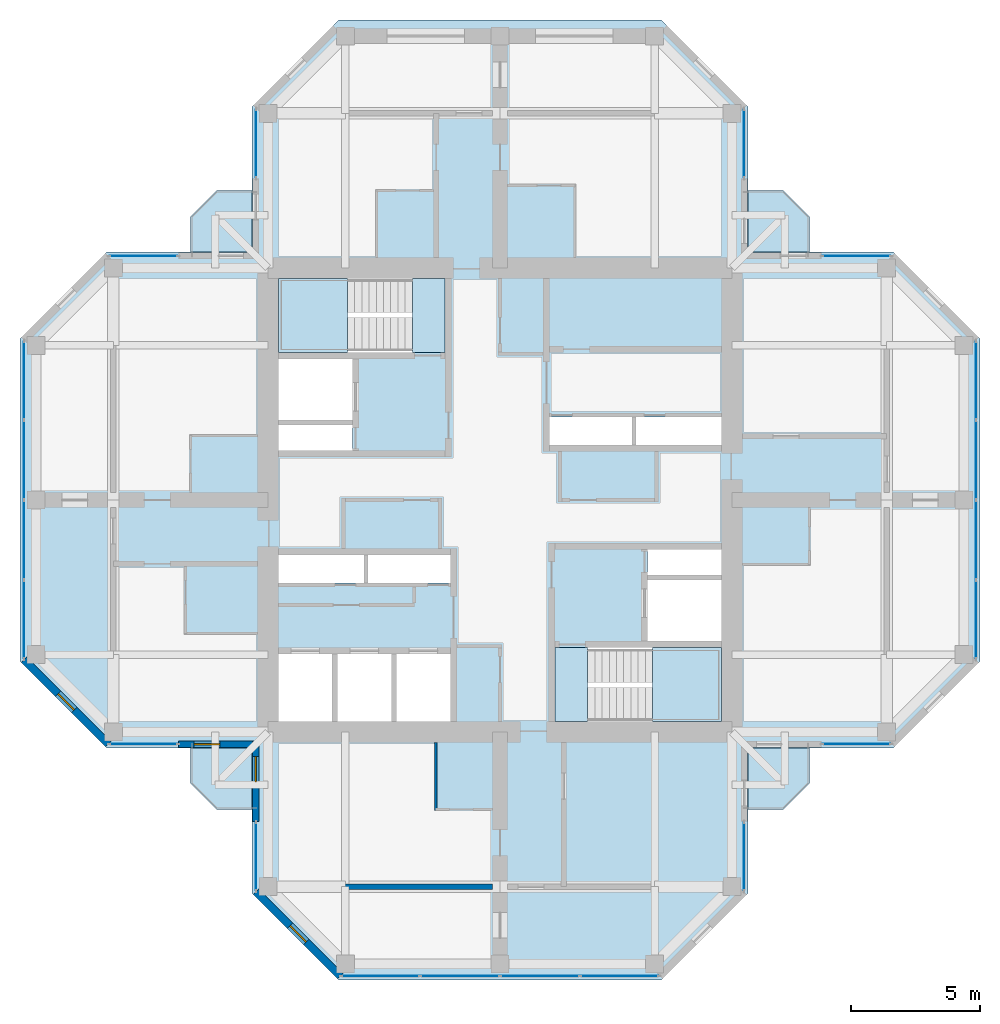
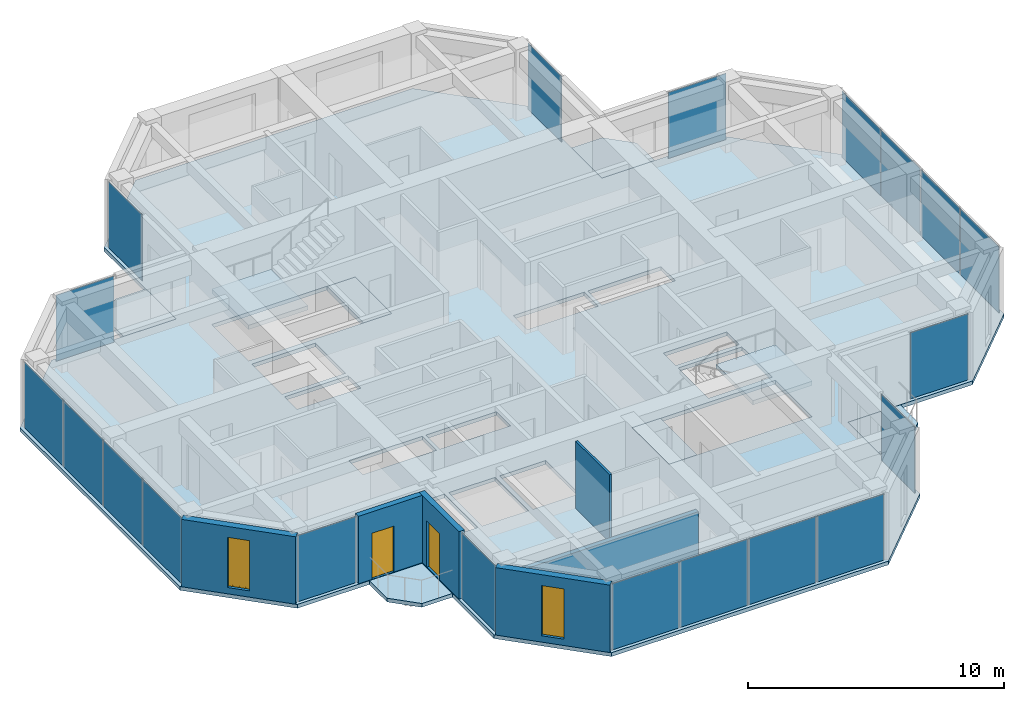
# One storey, part 7 of 13: 20 plates, 9 slabs, 6 walls, 2 doors, 2 windows, 4 openings, 13 elements without a shape of their own.
"""IFC4 building model written with IfcOpenShell, lengths in metres."""

from ifc_helpers import new_model, si_unit, direction, frame, frame_2d, origin, origin_2d, place, context, subcontext, project, spatial, polyline, rectangle, hollow_rectangle, outline, extrude, material, layer, layer_set, constituent, constituent_set, type_object, element, fill, aggregate, save


model = new_model("IFC4")

# Units and contexts
model_context = context("Model", 3, precision=1e-05, world=origin(), true_north=direction((0.0, 1.0)))
body_context = subcontext(model_context, "Body", "Model", "MODEL_VIEW")
ifc_project = project(units=[si_unit("LENGTHUNIT", "METRE"), si_unit("AREAUNIT", "SQUARE_METRE"), si_unit("VOLUMEUNIT", "CUBIC_METRE"), si_unit("PLANEANGLEUNIT", "RADIAN"), si_unit("MASSUNIT", "GRAM", prefix="KILO")], contexts=[model_context])

# Site, building, storey
site_placement = place(None, origin())
site = spatial("IfcSite", under=ifc_project, at=site_placement, CompositionType="ELEMENT")
building_placement = place(site_placement, origin())
building = spatial("IfcBuilding", under=site, at=building_placement, Name="Torre Cruceta", CompositionType="ELEMENT")
storey_placement = place(building_placement, frame((0.0, 0.0, 271.300048828125)))
storey = spatial("IfcBuildingStorey", under=building, at=storey_placement, Name="L70", CompositionType="ELEMENT", Elevation=271.300048828125)

# Slabs
ifc_material_1 = material(Name="Concrete G35 (fck 35 MPa)", Category="concrete")
ifc_layer_1 = layer(ifc_material_1, 0.179931640625)
ifc_layer_set_1 = layer_set([ifc_layer_1], Name="Concrete G35 (fck 35 MPa)")
slab_type_1 = type_object("IfcSlabType", Name="BALCONY SLAB 180", PredefinedType="USERDEFINED", material=ifc_layer_set_1)
slab_1_placement = place(storey_placement, frame((0.0, 0.0, -0.179931640625)))
element("IfcSlab", 1, at=slab_1_placement, inside=storey, type_object=slab_type_1, Name="Balcony slab L70 N", ObjectType="BALCONY", PredefinedType="USERDEFINED", context=body_context, shape_type="SweptSolid", body=[
    extrude(outline(polyline([(-12.0, 11.0), (-11.0, 12.0), (-9.6201171875, 12.0), (-9.6201171875, 9.6201171875), (-12.0, 9.6201171875), (-12.0, 11.0)])), origin(), (0.0, 0.0, 1.0), 0.179931640625),
])
slab_2_placement = place(storey_placement, frame((0.0, 0.0, -0.179931640625)))
element("IfcSlab", 2, at=slab_2_placement, inside=storey, type_object=slab_type_1, Name="Balcony slab L70 E", ObjectType="BALCONY", PredefinedType="USERDEFINED", context=body_context, shape_type="SweptSolid", body=[
    extrude(outline(polyline([(11.0, 12.0), (12.0, 11.0), (12.0, 9.6201171875), (9.6201171875, 9.6201171875), (9.6201171875, 12.0), (11.0, 12.0)])), origin(), (0.0, 0.0, 1.0), 0.179931640625),
])
slab_3_placement = place(storey_placement, frame((0.0, 0.0, -0.179931640625)))
element("IfcSlab", 3, at=slab_3_placement, inside=storey, type_object=slab_type_1, Name="Balcony slab L70 S", ObjectType="BALCONY", PredefinedType="USERDEFINED", context=body_context, shape_type="SweptSolid", body=[
    extrude(outline(polyline([(12.0, -11.0), (11.0, -12.0), (9.6201171875, -12.0), (9.6201171875, -9.6201171875), (12.0, -9.6201171875), (12.0, -11.0)])), origin(), (0.0, 0.0, 1.0), 0.179931640625),
])
slab_4_placement = place(storey_placement, frame((0.0, 0.0, -0.179931640625)))
element("IfcSlab", 4, at=slab_4_placement, inside=storey, type_object=slab_type_1, Name="Balcony slab L70 W", ObjectType="BALCONY", PredefinedType="USERDEFINED", context=body_context, shape_type="SweptSolid", body=[
    extrude(outline(polyline([(-11.0, -12.0), (-12.0, -11.0), (-12.0, -9.6201171875), (-9.6201171875, -9.6201171875), (-9.6201171875, -12.0), (-11.0, -12.0)])), origin(), (0.0, 0.0, 1.0), 0.179931640625),
])

# Curtain wall, plate
ifc_material_2 = material(Name="Aluminium unitised curtain wall", Category="aluminium")
curtain_wall_type = type_object("IfcCurtainWallType", Name="CURTAIN WALL CW-E CO-LIVING TOP", PredefinedType="USERDEFINED", material=ifc_material_2)
curtain_wall_1_placement = place(storey_placement, origin())
curtain_wall_1 = element("IfcCurtainWall", 5, at=curtain_wall_1_placement, inside=storey, type_object=curtain_wall_type, Name="CW-E L70 E tip 02", ObjectType="UNITISED", PredefinedType="USERDEFINED")
ifc_material_3 = material(Name="Laminated insulating glass unit, diagonal frit 50 %", Category="glass")
ifc_material_4 = material(Name="Laminated insulating glass unit, diagonal frit 50 %", Category="glass")
ifc_layer_2 = layer(ifc_material_4, 0.028076171875)
ifc_layer_set_2 = layer_set([ifc_layer_2], Name="Laminated insulating glass unit, diagonal frit 50 %")
plate_type_1 = type_object("IfcPlateType", Name="CW-E OPERABLE VENT PANEL 28", PredefinedType="CURTAIN_PANEL", material=ifc_layer_set_2)
plate_1_placement = place(storey_placement, frame((18.469970703125, -1.548583984375, 0.009765625), z_axis=(0.0, 0.0, 1.0), x_axis=(0.0, 1.0, 0.0)))
plate_1 = element("IfcPlate", 6, at=plate_1_placement, type_object=plate_type_1, material=ifc_material_3, Name="CW-E vent 2", PredefinedType="CURTAIN_PANEL", context=body_context, shape_type="SweptSolid", body=[
    extrude(rectangle(XDim=3.042236328125, YDim=0.028076171875, at=origin_2d()), origin(), (0.0, 0.0, 1.0), 3.155029296875),
])

curtain_wall_2_placement = place(storey_placement, origin())
curtain_wall_2 = element("IfcCurtainWall", 7, at=curtain_wall_2_placement, inside=storey, type_object=curtain_wall_type, Name="CW-E L70 W tip 12", ObjectType="UNITISED", PredefinedType="USERDEFINED")
plate_2_placement = place(storey_placement, frame((-18.469970703125, 1.548583984375, 0.009765625), z_axis=(0.0, 0.0, 1.0), x_axis=(0.0, -1.0, 0.0)))
plate_2 = element("IfcPlate", 8, at=plate_2_placement, type_object=plate_type_1, material=ifc_material_3, Name="CW-E vent 2", PredefinedType="CURTAIN_PANEL", context=body_context, shape_type="SweptSolid", body=[
    extrude(rectangle(XDim=3.042236328125, YDim=0.028076171875, at=origin_2d()), origin(), (0.0, 0.0, 1.0), 3.155029296875),
])

curtain_wall_3_placement = place(storey_placement, origin())
curtain_wall_3 = element("IfcCurtainWall", 9, at=curtain_wall_3_placement, inside=storey, type_object=curtain_wall_type, Name="CW-E L70 S tip 17", ObjectType="UNITISED", PredefinedType="USERDEFINED")
plate_3_placement = place(storey_placement, frame((-1.548583984375, -18.469970703125, 0.009765625), z_axis=(0.0, 0.0, 1.0), x_axis=(1.0, 0.0, 0.0)))
plate_3 = element("IfcPlate", 10, at=plate_3_placement, type_object=plate_type_1, material=ifc_material_3, Name="CW-E vent 2", PredefinedType="CURTAIN_PANEL", context=body_context, shape_type="SweptSolid", body=[
    extrude(rectangle(XDim=3.042236328125, YDim=0.028076171875, at=origin_2d()), origin(), (0.0, 0.0, 1.0), 3.155029296875),
])

curtain_wall_4_placement = place(storey_placement, origin())
curtain_wall_4 = element("IfcCurtainWall", 11, at=curtain_wall_4_placement, inside=storey, type_object=curtain_wall_type, Name="CW-E L70 E side 00", ObjectType="UNITISED", PredefinedType="USERDEFINED")
ifc_material_5 = material(Name="Laminated insulating glass unit, diagonal frit 50 %", Category="glass")
ifc_layer_3 = layer(ifc_material_5, 0.028076171875)
ifc_layer_set_3 = layer_set([ifc_layer_3], Name="Laminated insulating glass unit, diagonal frit 50 %")
plate_type_2 = type_object("IfcPlateType", Name="CW-E PANEL 28", PredefinedType="CURTAIN_PANEL", material=ifc_layer_set_3)
plate_4_placement = place(storey_placement, frame((13.832275390625, -9.469970703125, 0.009765625), z_axis=(0.0, 0.0, 1.0), x_axis=(1.0, 0.0, 0.0)))
plate_4 = element("IfcPlate", 12, at=plate_4_placement, type_object=plate_type_2, material=ifc_material_3, Name="CW-E panel 1", PredefinedType="CURTAIN_PANEL", context=body_context, shape_type="SweptSolid", body=[
    extrude(rectangle(XDim=2.61474609375, YDim=0.028076171875, at=origin_2d()), origin(), (0.0, 0.0, 1.0), 3.155029296875),
])
aggregate(curtain_wall_4, [plate_4])

# Plate
plate_5_placement = place(storey_placement, frame((18.469970703125, -4.63232421875, 0.009765625), z_axis=(0.0, 0.0, 1.0), x_axis=(0.0, 1.0, 0.0)))
plate_5 = element("IfcPlate", 13, at=plate_5_placement, type_object=plate_type_2, material=ifc_material_3, Name="CW-E panel 1", PredefinedType="CURTAIN_PANEL", context=body_context, shape_type="SweptSolid", body=[
    extrude(rectangle(XDim=3.014892578125, YDim=0.028076171875, at=origin_2d()), origin(), (0.0, 0.0, 1.0), 3.155029296875),
])

ifc_material_6 = material(Name="Laminated insulating glass unit, low-iron clear", Category="glass")
plate_6_placement = place(storey_placement, frame((18.469970703125, 1.548583984375, 0.009765625), z_axis=(0.0, 0.0, 1.0), x_axis=(0.0, 1.0, 0.0)))
plate_6 = element("IfcPlate", 14, at=plate_6_placement, type_object=plate_type_2, material=ifc_material_6, Name="CW-E panel 3", PredefinedType="CURTAIN_PANEL", context=body_context, shape_type="SweptSolid", body=[
    extrude(rectangle(XDim=3.042236328125, YDim=0.028076171875, at=origin_2d()), origin(), (0.0, 0.0, 1.0), 3.155029296875),
])

plate_7_placement = place(storey_placement, frame((18.469970703125, 4.63232421875, 0.009765625), z_axis=(0.0, 0.0, 1.0), x_axis=(0.0, 1.0, 0.0)))
plate_7 = element("IfcPlate", 15, at=plate_7_placement, type_object=plate_type_2, material=ifc_material_6, Name="CW-E panel 4", PredefinedType="CURTAIN_PANEL", context=body_context, shape_type="SweptSolid", body=[
    extrude(rectangle(XDim=3.014892578125, YDim=0.028076171875, at=origin_2d()), origin(), (0.0, 0.0, 1.0), 3.155029296875),
])

aggregate(curtain_wall_1, [plate_5, plate_1, plate_6, plate_7])

# Curtain wall, plate
curtain_wall_5_placement = place(storey_placement, origin())
curtain_wall_5 = element("IfcCurtainWall", 16, at=curtain_wall_5_placement, inside=storey, type_object=curtain_wall_type, Name="CW-E L70 E side 04", ObjectType="UNITISED", PredefinedType="USERDEFINED")
plate_8_placement = place(storey_placement, frame((13.832275390625, 9.469970703125, 0.009765625), z_axis=(0.0, 0.0, 1.0), x_axis=(-1.0, 0.0, 0.0)))
plate_8 = element("IfcPlate", 17, at=plate_8_placement, type_object=plate_type_2, material=ifc_material_3, Name="CW-E panel 1", PredefinedType="CURTAIN_PANEL", context=body_context, shape_type="SweptSolid", body=[
    extrude(rectangle(XDim=2.61474609375, YDim=0.028076171875, at=origin_2d()), origin(), (0.0, 0.0, 1.0), 3.155029296875),
])
aggregate(curtain_wall_5, [plate_8])

curtain_wall_6_placement = place(storey_placement, origin())
curtain_wall_6 = element("IfcCurtainWall", 18, at=curtain_wall_6_placement, inside=storey, type_object=curtain_wall_type, Name="CW-E L70 N side 05", ObjectType="UNITISED", PredefinedType="USERDEFINED")
plate_9_placement = place(storey_placement, frame((9.469970703125, 13.832275390625, 0.009765625), z_axis=(0.0, 0.0, 1.0), x_axis=(0.0, 1.0, 0.0)))
plate_9 = element("IfcPlate", 19, at=plate_9_placement, type_object=plate_type_2, material=ifc_material_3, Name="CW-E panel 1", PredefinedType="CURTAIN_PANEL", context=body_context, shape_type="SweptSolid", body=[
    extrude(rectangle(XDim=2.61474609375, YDim=0.028076171875, at=origin_2d()), origin(), (0.0, 0.0, 1.0), 3.155029296875),
])
aggregate(curtain_wall_6, [plate_9])

curtain_wall_7_placement = place(storey_placement, origin())
curtain_wall_7 = element("IfcCurtainWall", 20, at=curtain_wall_7_placement, inside=storey, type_object=curtain_wall_type, Name="CW-E L70 N side 09", ObjectType="UNITISED", PredefinedType="USERDEFINED")
plate_10_placement = place(storey_placement, frame((-9.469970703125, 13.832275390625, 0.009765625), z_axis=(0.0, 0.0, 1.0), x_axis=(0.0, -1.0, 0.0)))
plate_10 = element("IfcPlate", 21, at=plate_10_placement, type_object=plate_type_2, material=ifc_material_3, Name="CW-E panel 1", PredefinedType="CURTAIN_PANEL", context=body_context, shape_type="SweptSolid", body=[
    extrude(rectangle(XDim=2.61474609375, YDim=0.028076171875, at=origin_2d()), origin(), (0.0, 0.0, 1.0), 3.155029296875),
])
aggregate(curtain_wall_7, [plate_10])

curtain_wall_8_placement = place(storey_placement, origin())
curtain_wall_8 = element("IfcCurtainWall", 22, at=curtain_wall_8_placement, inside=storey, type_object=curtain_wall_type, Name="CW-E L70 W side 10", ObjectType="UNITISED", PredefinedType="USERDEFINED")
plate_11_placement = place(storey_placement, frame((-13.832275390625, 9.469970703125, 0.009765625), z_axis=(0.0, 0.0, 1.0), x_axis=(-1.0, 0.0, 0.0)))
plate_11 = element("IfcPlate", 23, at=plate_11_placement, type_object=plate_type_2, material=ifc_material_3, Name="CW-E panel 1", PredefinedType="CURTAIN_PANEL", context=body_context, shape_type="SweptSolid", body=[
    extrude(rectangle(XDim=2.61474609375, YDim=0.028076171875, at=origin_2d()), origin(), (0.0, 0.0, 1.0), 3.155029296875),
])
aggregate(curtain_wall_8, [plate_11])

# Plate
plate_12_placement = place(storey_placement, frame((-18.469970703125, 4.63232421875, 0.009765625), z_axis=(0.0, 0.0, 1.0), x_axis=(0.0, -1.0, 0.0)))
plate_12 = element("IfcPlate", 24, at=plate_12_placement, type_object=plate_type_2, material=ifc_material_3, Name="CW-E panel 1", PredefinedType="CURTAIN_PANEL", context=body_context, shape_type="SweptSolid", body=[
    extrude(rectangle(XDim=3.014892578125, YDim=0.028076171875, at=origin_2d()), origin(), (0.0, 0.0, 1.0), 3.155029296875),
])

plate_13_placement = place(storey_placement, frame((-18.469970703125, -1.548583984375, 0.009765625), z_axis=(0.0, 0.0, 1.0), x_axis=(0.0, -1.0, 0.0)))
plate_13 = element("IfcPlate", 25, at=plate_13_placement, type_object=plate_type_2, material=ifc_material_6, Name="CW-E panel 3", PredefinedType="CURTAIN_PANEL", context=body_context, shape_type="SweptSolid", body=[
    extrude(rectangle(XDim=3.042236328125, YDim=0.028076171875, at=origin_2d()), origin(), (0.0, 0.0, 1.0), 3.155029296875),
])

plate_14_placement = place(storey_placement, frame((-18.469970703125, -4.63232421875, 0.009765625), z_axis=(0.0, 0.0, 1.0), x_axis=(0.0, -1.0, 0.0)))
plate_14 = element("IfcPlate", 26, at=plate_14_placement, type_object=plate_type_2, material=ifc_material_6, Name="CW-E panel 4", PredefinedType="CURTAIN_PANEL", context=body_context, shape_type="SweptSolid", body=[
    extrude(rectangle(XDim=3.014892578125, YDim=0.028076171875, at=origin_2d()), origin(), (0.0, 0.0, 1.0), 3.155029296875),
])

aggregate(curtain_wall_2, [plate_12, plate_2, plate_13, plate_14])

# Curtain wall, plate
curtain_wall_9_placement = place(storey_placement, origin())
curtain_wall_9 = element("IfcCurtainWall", 27, at=curtain_wall_9_placement, inside=storey, type_object=curtain_wall_type, Name="CW-E L70 W side 14", ObjectType="UNITISED", PredefinedType="USERDEFINED")
plate_15_placement = place(storey_placement, frame((-13.832275390625, -9.469970703125, 0.009765625), z_axis=(0.0, 0.0, 1.0), x_axis=(1.0, 0.0, 0.0)))
plate_15 = element("IfcPlate", 28, at=plate_15_placement, type_object=plate_type_2, material=ifc_material_3, Name="CW-E panel 1", PredefinedType="CURTAIN_PANEL", context=body_context, shape_type="SweptSolid", body=[
    extrude(rectangle(XDim=2.61474609375, YDim=0.028076171875, at=origin_2d()), origin(), (0.0, 0.0, 1.0), 3.155029296875),
])
aggregate(curtain_wall_9, [plate_15])

curtain_wall_10_placement = place(storey_placement, origin())
curtain_wall_10 = element("IfcCurtainWall", 29, at=curtain_wall_10_placement, inside=storey, type_object=curtain_wall_type, Name="CW-E L70 S side 15", ObjectType="UNITISED", PredefinedType="USERDEFINED")
plate_16_placement = place(storey_placement, frame((-9.469970703125, -13.832275390625, 0.009765625), z_axis=(0.0, 0.0, 1.0), x_axis=(0.0, -1.0, 0.0)))
plate_16 = element("IfcPlate", 30, at=plate_16_placement, type_object=plate_type_2, material=ifc_material_3, Name="CW-E panel 1", PredefinedType="CURTAIN_PANEL", context=body_context, shape_type="SweptSolid", body=[
    extrude(rectangle(XDim=2.61474609375, YDim=0.028076171875, at=origin_2d()), origin(), (0.0, 0.0, 1.0), 3.155029296875),
])
aggregate(curtain_wall_10, [plate_16])

# Plate
plate_17_placement = place(storey_placement, frame((-4.63232421875, -18.469970703125, 0.009765625), z_axis=(0.0, 0.0, 1.0), x_axis=(1.0, 0.0, 0.0)))
plate_17 = element("IfcPlate", 31, at=plate_17_placement, type_object=plate_type_2, material=ifc_material_3, Name="CW-E panel 1", PredefinedType="CURTAIN_PANEL", context=body_context, shape_type="SweptSolid", body=[
    extrude(rectangle(XDim=3.014892578125, YDim=0.028076171875, at=origin_2d()), origin(), (0.0, 0.0, 1.0), 3.155029296875),
])

plate_18_placement = place(storey_placement, frame((1.548583984375, -18.469970703125, 0.009765625), z_axis=(0.0, 0.0, 1.0), x_axis=(1.0, 0.0, 0.0)))
plate_18 = element("IfcPlate", 32, at=plate_18_placement, type_object=plate_type_2, material=ifc_material_6, Name="CW-E panel 3", PredefinedType="CURTAIN_PANEL", context=body_context, shape_type="SweptSolid", body=[
    extrude(rectangle(XDim=3.042236328125, YDim=0.028076171875, at=origin_2d()), origin(), (0.0, 0.0, 1.0), 3.155029296875),
])

plate_19_placement = place(storey_placement, frame((4.63232421875, -18.469970703125, 0.009765625), z_axis=(0.0, 0.0, 1.0), x_axis=(1.0, 0.0, 0.0)))
plate_19 = element("IfcPlate", 33, at=plate_19_placement, type_object=plate_type_2, material=ifc_material_6, Name="CW-E panel 4", PredefinedType="CURTAIN_PANEL", context=body_context, shape_type="SweptSolid", body=[
    extrude(rectangle(XDim=3.014892578125, YDim=0.028076171875, at=origin_2d()), origin(), (0.0, 0.0, 1.0), 3.155029296875),
])

aggregate(curtain_wall_3, [plate_17, plate_3, plate_18, plate_19])

# Curtain wall, plate
curtain_wall_11_placement = place(storey_placement, origin())
curtain_wall_11 = element("IfcCurtainWall", 34, at=curtain_wall_11_placement, inside=storey, type_object=curtain_wall_type, Name="CW-E L70 S side 19", ObjectType="UNITISED", PredefinedType="USERDEFINED")
plate_20_placement = place(storey_placement, frame((9.469970703125, -13.832275390625, 0.009765625), z_axis=(0.0, 0.0, 1.0), x_axis=(0.0, 1.0, 0.0)))
plate_20 = element("IfcPlate", 35, at=plate_20_placement, type_object=plate_type_2, material=ifc_material_3, Name="CW-E panel 1", PredefinedType="CURTAIN_PANEL", context=body_context, shape_type="SweptSolid", body=[
    extrude(rectangle(XDim=2.61474609375, YDim=0.028076171875, at=origin_2d()), origin(), (0.0, 0.0, 1.0), 3.155029296875),
])
aggregate(curtain_wall_11, [plate_20])

# Slab
ifc_material_7 = material(Name="Concrete G35 (fck 35 MPa)", Category="concrete")
ifc_layer_4 = layer(ifc_material_7, 0.179931640625)
ifc_layer_set_4 = layer_set([ifc_layer_4], Name="Concrete G35 (fck 35 MPa)")
slab_type_2 = type_object("IfcSlabType", Name="FLOOR SLAB 180", PredefinedType="FLOOR", material=ifc_layer_set_4)
slab_5_placement = place(storey_placement, frame((0.0, 0.0, -0.179931640625)))
element("IfcSlab", 36, at=slab_5_placement, inside=storey, type_object=slab_type_2, Name="Floor Slab L70", PredefinedType="FLOOR", context=body_context, shape_type="SweptSolid", body=[
    extrude(outline(polyline([(9.6201171875, -9.6201171875), (9.6201171875, -15.2568359375), (6.2568359375, -18.6201171875), (-6.2568359375, -18.6201171875), (-9.6201171875, -15.2568359375), (-9.6201171875, -9.6201171875), (-15.2568359375, -9.6201171875), (-18.6201171875, -6.2568359375), (-18.6201171875, 6.2568359375), (-15.2568359375, 9.6201171875), (-9.6201171875, 9.6201171875), (-9.6201171875, 15.2568359375), (-6.2568359375, 18.6201171875), (6.2568359375, 18.6201171875), (9.6201171875, 15.2568359375), (9.6201171875, 9.6201171875), (15.2568359375, 9.6201171875), (18.6201171875, 6.2568359375), (18.6201171875, -6.2568359375), (15.2568359375, -9.6201171875), (9.6201171875, -9.6201171875)]), holes=[polyline([(1.925048828125, 2.125), (5.125, 2.125), (5.125, 3.22509765625), (1.925048828125, 3.22509765625), (1.925048828125, 2.125)]), polyline([(5.27490234375, 2.125), (8.60009765625, 2.125), (8.60009765625, 3.22509765625), (5.27490234375, 3.22509765625), (5.27490234375, 2.125)]), polyline([(-8.60009765625, 3.10009765625), (-5.72509765625, 3.10009765625), (-5.72509765625, 5.47509765625), (-8.60009765625, 5.47509765625), (-8.60009765625, 3.10009765625)]), polyline([(-8.60009765625, 1.925048828125), (-5.72509765625, 1.925048828125), (-5.72509765625, 2.89990234375), (-8.60009765625, 2.89990234375), (-8.60009765625, 1.925048828125)]), polyline([(-4.0166015625, -8.60009765625), (-1.925048828125, -8.60009765625), (-1.925048828125, -5.97509765625), (-4.0166015625, -5.97509765625), (-4.0166015625, -8.60009765625)]), polyline([(-6.308349609375, -8.60009765625), (-4.216552734375, -8.60009765625), (-4.216552734375, -5.97509765625), (-6.308349609375, -5.97509765625), (-6.308349609375, -8.60009765625)]), polyline([(-8.60009765625, -8.60009765625), (-6.50830078125, -8.60009765625), (-6.50830078125, -5.97509765625), (-8.60009765625, -5.97509765625), (-8.60009765625, -8.60009765625)]), polyline([(-5.125, -3.22509765625), (-1.925048828125, -3.22509765625), (-1.925048828125, -2.125), (-5.125, -2.125), (-5.125, -3.22509765625)]), polyline([(-8.60009765625, -3.22509765625), (-5.27490234375, -3.22509765625), (-5.27490234375, -2.125), (-8.60009765625, -2.125), (-8.60009765625, -3.22509765625)]), polyline([(5.72509765625, -5.47509765625), (8.60009765625, -5.47509765625), (8.60009765625, -3.10009765625), (5.72509765625, -3.10009765625), (5.72509765625, -5.47509765625)]), polyline([(5.72509765625, -2.89990234375), (8.60009765625, -2.89990234375), (8.60009765625, -1.925048828125), (5.72509765625, -1.925048828125), (5.72509765625, -2.89990234375)]), polyline([(-8.60009765625, 5.72509765625), (-8.60009765625, 8.60009765625), (-3.39990234375, 8.60009765625), (-2.125, 8.60009765625), (-2.125, 5.72509765625), (-3.39990234375, 5.72509765625), (-8.60009765625, 5.72509765625)]), polyline([(2.125, -5.72509765625), (3.39990234375, -5.72509765625), (8.60009765625, -5.72509765625), (8.60009765625, -8.60009765625), (3.39990234375, -8.60009765625), (2.125, -8.60009765625), (2.125, -5.72509765625)])]), origin(), (0.0, 0.0, 1.0), 0.179931640625),
])

# Stair, slab
ifc_material_8 = material(Name="Concrete G30 (fck 30 MPa)", Category="concrete")
stair_type = type_object("IfcStairType", Name="STAIR HALF-TURN 1300", PredefinedType="HALF_TURN_STAIR", material=ifc_material_8)
stair_1_placement = place(storey_placement, origin())
stair_1 = element("IfcStair", 37, at=stair_1_placement, inside=storey, type_object=stair_type, Name="Stair ST1 L70", PredefinedType="HALF_TURN_STAIR")
ifc_material_9 = material(Name="Concrete G30 (fck 30 MPa)", Category="concrete")
ifc_layer_5 = layer(ifc_material_9, 0.199951171875)
ifc_layer_set_5 = layer_set([ifc_layer_5], Name="Concrete G30 (fck 30 MPa)")
slab_type_3 = type_object("IfcSlabType", Name="STAIR LANDING 200", PredefinedType="LANDING", material=ifc_layer_set_5)
slab_6_placement = place(storey_placement, frame((0.0, 0.0, 1.5)))
slab_6 = element("IfcSlab", 38, at=slab_6_placement, type_object=slab_type_3, Name="ST1 landing 1", PredefinedType="LANDING", context=body_context, shape_type="SweptSolid", body=[
    extrude(outline(polyline([(-8.60009765625, 5.72509765625), (-5.919921875, 5.72509765625), (-5.919921875, 8.60009765625), (-8.60009765625, 8.60009765625), (-8.60009765625, 5.72509765625)])), origin(), (0.0, 0.0, 1.0), 0.199951171875),
])
aggregate(stair_1, [slab_6])

stair_2_placement = place(storey_placement, origin())
stair_2 = element("IfcStair", 39, at=stair_2_placement, inside=storey, type_object=stair_type, Name="Stair ST2 L70", PredefinedType="HALF_TURN_STAIR")
slab_7_placement = place(storey_placement, frame((0.0, 0.0, 1.5)))
slab_7 = element("IfcSlab", 40, at=slab_7_placement, type_object=slab_type_3, Name="ST2 landing 1", PredefinedType="LANDING", context=body_context, shape_type="SweptSolid", body=[
    extrude(outline(polyline([(5.919921875, -8.60009765625), (8.60009765625, -8.60009765625), (8.60009765625, -5.72509765625), (5.919921875, -5.72509765625), (5.919921875, -8.60009765625)])), origin(), (0.0, 0.0, 1.0), 0.199951171875),
])
aggregate(stair_2, [slab_7])

# Slabs
slab_8_placement = place(storey_placement, frame((0.0, 0.0, -0.199951171875)))
element("IfcSlab", 41, at=slab_8_placement, inside=storey, type_object=slab_type_3, Name="Stair ST1 floor landing L70", PredefinedType="LANDING", context=body_context, shape_type="SweptSolid", body=[
    extrude(outline(polyline([(-2.125, 8.60009765625), (-2.125, 5.72509765625), (-3.39990234375, 5.72509765625), (-3.39990234375, 8.60009765625), (-2.125, 8.60009765625)])), origin(), (0.0, 0.0, 1.0), 0.199951171875),
])
slab_9_placement = place(storey_placement, frame((0.0, 0.0, -0.199951171875)))
element("IfcSlab", 42, at=slab_9_placement, inside=storey, type_object=slab_type_3, Name="Stair ST2 floor landing L70", PredefinedType="LANDING", context=body_context, shape_type="SweptSolid", body=[
    extrude(outline(polyline([(2.125, -8.60009765625), (2.125, -5.72509765625), (3.39990234375, -5.72509765625), (3.39990234375, -8.60009765625), (2.125, -8.60009765625)])), origin(), (0.0, 0.0, 1.0), 0.199951171875),
])

# Wall
ifc_material_10 = material(Name="Water-resistant plasterboard on steel studs", Category="steel")
ifc_layer_6 = layer(ifc_material_10, 0.10009765625)
ifc_layer_set_6 = layer_set([ifc_layer_6], Name="Water-resistant plasterboard on steel studs")
wall_type_1 = type_object("IfcWallType", Name="BATHROOM WALL 100", PredefinedType="PARTITIONING", material=ifc_layer_set_6)
wall_1_placement = place(storey_placement, frame((-2.5, -9.39990234375, 0.0), z_axis=(0.0, 0.0, 1.0), x_axis=(0.0, -1.0, 0.0)))
element("IfcWall", 43, at=wall_1_placement, inside=storey, type_object=wall_type_1, Name="PT4 L70-S-U1RBB", PredefinedType="PARTITIONING", context=body_context, shape_type="SweptSolid", body=[
    extrude(rectangle(XDim=2.650146484375, YDim=0.10009765625, at=frame_2d((1.3251953125, 0.0))), origin(), (0.0, 0.0, 1.0), 3.219970703125),
])

# Wall, opening, window
ifc_material_11 = material(Name="Concrete G30 (fck 30 MPa)", Category="concrete")
ifc_layer_7 = layer(ifc_material_11, 0.300048828125)
ifc_layer_set_7 = layer_set([ifc_layer_7], Name="Concrete G30 (fck 30 MPa)")
wall_type_2 = type_object("IfcWallType", Name="EXPOSED CONCRETE FACADE WALL 300", PredefinedType="SOLIDWALL", material=ifc_layer_set_7)
wall_2_placement = place(storey_placement, frame((-18.469970703125, -6.194580078125, 0.0), z_axis=(0.0, 0.0, 1.0), x_axis=(0.707106781187, -0.707106781187, 0.0)))
wall_2 = element("IfcWall", 44, at=wall_2_placement, inside=storey, type_object=wall_type_2, Name="EW1 facade wall L70 W chamfer 13", PredefinedType="SOLIDWALL", context=body_context, shape_type="SweptSolid", body=[
    extrude(rectangle(XDim=4.632080078125, YDim=0.300048828125, at=frame_2d((2.31591796875, 0.0))), origin(), (0.0, 0.0, 1.0), 3.219970703125),
])
opening_1_placement = place(wall_2_placement, frame((1.865966796875, 0.0, 0.300048828125)))
opening_1 = element("IfcOpeningElement", 45, at=opening_1_placement, cuts=wall_2, Name="Opening WN5", PredefinedType="OPENING", context=body_context, shape_type="SweptSolid", body=[
    extrude(rectangle(XDim=0.89990234375, YDim=2.39990234375, at=frame_2d((0.449951171875, 1.199951171875))), frame((0.0, 0.159912109375, 0.0), z_axis=(0.0, -1.0, 0.0), x_axis=(1.0, 0.0, 0.0)), (0.0, 0.0, 1.0), 0.320068359375),
])
ifc_material_12 = material(Name="Aluminium window frame", Category="aluminium")
ifc_constituent_1 = constituent(ifc_material_12, Name="Frame")
ifc_material_13 = material(Name="Laminated insulating glass unit, low-iron clear", Category="glass")
ifc_constituent_2 = constituent(ifc_material_13, Name="Glazing")
ifc_constituent_set_1 = constituent_set(constituents=[ifc_constituent_1, ifc_constituent_2], Name="Aluminium window")
window_type = type_object("IfcWindowType", Name="CHAMFER SLOT WINDOW 900X2400", PartitioningType="SINGLE_PANEL", PredefinedType="WINDOW", material=ifc_constituent_set_1)
window_1_placement = place(opening_1_placement, origin())
window_1 = element("IfcWindow", 46, at=window_1_placement, inside=storey, type_object=window_type, Name="WN5 L70 W 1", OverallHeight=2.39990234375, OverallWidth=0.89990234375, PartitioningType="SINGLE_PANEL", PredefinedType="WINDOW", context=body_context, shape_type="SweptSolid", body=[
    extrude(hollow_rectangle(XDim=0.89990234375, YDim=2.39990234375, WallThickness=0.06005859375, at=frame_2d((0.449951171875, 1.199951171875))), frame((0.0, 0.030029296875, 0.0), z_axis=(0.0, -1.0, 0.0), x_axis=(1.0, 0.0, 0.0)), (0.0, 0.0, 1.0), 0.06005859375),
    extrude(rectangle(XDim=0.77880859375, YDim=2.27880859375, at=frame_2d((0.449951171875, 1.199951171875))), frame((0.0, 0.030029296875, 0.0), z_axis=(0.0, -1.0, 0.0), x_axis=(1.0, 0.0, 0.0)), (0.0, 0.0, 1.0), 0.06005859375),
])
fill(opening_1, window_1)

wall_3_placement = place(storey_placement, frame((-9.469970703125, -15.194580078125, 0.0), z_axis=(0.0, 0.0, 1.0), x_axis=(0.707106781187, -0.707106781187, 0.0)))
wall_3 = element("IfcWall", 47, at=wall_3_placement, inside=storey, type_object=wall_type_2, Name="EW1 facade wall L70 S chamfer 16", PredefinedType="SOLIDWALL", context=body_context, shape_type="SweptSolid", body=[
    extrude(rectangle(XDim=4.632080078125, YDim=0.300048828125, at=frame_2d((2.31591796875, 0.0))), origin(), (0.0, 0.0, 1.0), 3.219970703125),
])
opening_2_placement = place(wall_3_placement, frame((1.865966796875, 0.0, 0.300048828125)))
opening_2 = element("IfcOpeningElement", 48, at=opening_2_placement, cuts=wall_3, Name="Opening WN5", PredefinedType="OPENING", context=body_context, shape_type="SweptSolid", body=[
    extrude(rectangle(XDim=0.89990234375, YDim=2.39990234375, at=frame_2d((0.449951171875, 1.199951171875))), frame((0.0, 0.159912109375, 0.0), z_axis=(0.0, -1.0, 0.0), x_axis=(1.0, 0.0, 0.0)), (0.0, 0.0, 1.0), 0.320068359375),
])
window_2_placement = place(opening_2_placement, origin())
window_2 = element("IfcWindow", 49, at=window_2_placement, inside=storey, type_object=window_type, Name="WN5 L70 S 1", OverallHeight=2.39990234375, OverallWidth=0.89990234375, PartitioningType="SINGLE_PANEL", PredefinedType="WINDOW", context=body_context, shape_type="SweptSolid", body=[
    extrude(hollow_rectangle(XDim=0.89990234375, YDim=2.39990234375, WallThickness=0.06005859375, at=frame_2d((0.449951171875, 1.199951171875))), frame((0.0, 0.030029296875, 0.0), z_axis=(0.0, -1.0, 0.0), x_axis=(1.0, 0.0, 0.0)), (0.0, 0.0, 1.0), 0.06005859375),
    extrude(rectangle(XDim=0.77880859375, YDim=2.27880859375, at=frame_2d((0.449951171875, 1.199951171875))), frame((0.0, 0.030029296875, 0.0), z_axis=(0.0, -1.0, 0.0), x_axis=(1.0, 0.0, 0.0)), (0.0, 0.0, 1.0), 0.06005859375),
])
fill(opening_2, window_2)

# Wall
ifc_material_14 = material(Name="Concrete G25 (fck 25 MPa)", Category="concrete")
ifc_layer_8 = layer(ifc_material_14, 0.199951171875)
ifc_layer_set_8 = layer_set([ifc_layer_8], Name="Concrete G25 (fck 25 MPa)")
wall_type_3 = type_object("IfcWallType", Name="UNIT SEPARATING WALL 200", PredefinedType="SOLIDWALL", material=ifc_layer_set_8)
wall_4_placement = place(storey_placement, frame((-8.64990234375, -15.0, 0.0), z_axis=(0.0, 0.0, 1.0), x_axis=(1.0, 0.0, 0.0)))
element("IfcWall", 50, at=wall_4_placement, inside=storey, type_object=wall_type_3, Name="PT2 L70-S-ENDa", PredefinedType="SOLIDWALL", context=body_context, shape_type="SweptSolid", body=[
    extrude(rectangle(XDim=8.349853515625, YDim=0.199951171875, at=frame_2d((4.1748046875, 0.0))), origin(), (0.0, 0.0, 1.0), 2.52001953125),
])

# Wall, opening, door
ifc_material_15 = material(Name="Concrete G30 (fck 30 MPa)", Category="concrete")
ifc_layer_9 = layer(ifc_material_15, 0.25)
ifc_layer_set_9 = layer_set([ifc_layer_9], Name="Concrete G30 (fck 30 MPa)")
wall_type_4 = type_object("IfcWallType", Name="WINTER GARDEN WALL 250", PredefinedType="SOLIDWALL", material=ifc_layer_set_9)
wall_5_placement = place(storey_placement, frame((-12.469970703125, -9.469970703125, 0.0), z_axis=(0.0, 0.0, 1.0), x_axis=(1.0, 0.0, 0.0)))
wall_5 = element("IfcWall", 51, at=wall_5_placement, inside=storey, type_object=wall_type_4, Name="EW2 winter garden wall L70 14", PredefinedType="SOLIDWALL", context=body_context, shape_type="SweptSolid", body=[
    extrude(rectangle(XDim=2.875, YDim=0.25, at=frame_2d((1.4375, 0.0))), origin(), (0.0, 0.0, 1.0), 3.219970703125),
])
opening_3_placement = place(wall_5_placement, frame((0.60009765625, 0.0, 0.0)))
opening_3 = element("IfcOpeningElement", 52, at=opening_3_placement, cuts=wall_5, Name="Opening D10", PredefinedType="OPENING", context=body_context, shape_type="SweptSolid", body=[
    extrude(rectangle(XDim=1.0, YDim=2.199951171875, at=frame_2d((0.5, 1.10009765625))), frame((0.0, 0.135009765625, 0.0), z_axis=(0.0, -1.0, 0.0), x_axis=(1.0, 0.0, 0.0)), (0.0, 0.0, 1.0), 0.27001953125),
])
ifc_material_16 = material(Name="Aluminium door frame", Category="aluminium")
ifc_constituent_3 = constituent(ifc_material_16, Name="Frame")
ifc_material_17 = material(Name="Laminated safety glass", Category="glass")
ifc_constituent_4 = constituent(ifc_material_17, Name="Glazing")
ifc_constituent_set_2 = constituent_set(constituents=[ifc_constituent_3, ifc_constituent_4], Name="Aluminium glazed door")
door_type = type_object("IfcDoorType", Name="BALCONY DOOR 1000X2200", OperationType="SINGLE_SWING_RIGHT", PredefinedType="DOOR", material=ifc_constituent_set_2)
door_1_placement = place(opening_3_placement, origin())
door_1 = element("IfcDoor", 53, at=door_1_placement, inside=storey, type_object=door_type, Name="D10 balcony door L70 14", OperationType="SINGLE_SWING_RIGHT", OverallHeight=2.199951171875, OverallWidth=1.0, PredefinedType="DOOR", context=body_context, shape_type="SweptSolid", body=[
    extrude(hollow_rectangle(XDim=1.0, YDim=2.199951171875, WallThickness=0.06005859375, at=frame_2d((0.5, 1.10009765625))), frame((0.0, 0.02490234375, 0.0), z_axis=(0.0, -1.0, 0.0), x_axis=(1.0, 0.0, 0.0)), (0.0, 0.0, 1.0), 0.050048828125),
    extrude(rectangle(XDim=0.87890625, YDim=2.078857421875, at=frame_2d((0.5, 1.10009765625))), frame((0.0, 0.02490234375, 0.0), z_axis=(0.0, -1.0, 0.0), x_axis=(1.0, 0.0, 0.0)), (0.0, 0.0, 1.0), 0.050048828125),
])
fill(opening_3, door_1)

wall_6_placement = place(storey_placement, frame((-9.469970703125, -9.344970703125, 0.0), z_axis=(0.0, 0.0, 1.0), x_axis=(0.0, -1.0, 0.0)))
wall_6 = element("IfcWall", 54, at=wall_6_placement, inside=storey, type_object=wall_type_4, Name="EW2 winter garden wall L70 15", PredefinedType="SOLIDWALL", context=body_context, shape_type="SweptSolid", body=[
    extrude(rectangle(XDim=3.125, YDim=0.25, at=frame_2d((1.5625, 0.0))), origin(), (0.0, 0.0, 1.0), 3.219970703125),
])
opening_4_placement = place(wall_6_placement, frame((0.60009765625, 0.0, 0.0)))
opening_4 = element("IfcOpeningElement", 55, at=opening_4_placement, cuts=wall_6, Name="Opening D10", PredefinedType="OPENING", context=body_context, shape_type="SweptSolid", body=[
    extrude(rectangle(XDim=1.0, YDim=2.199951171875, at=frame_2d((0.5, 1.10009765625))), frame((0.0, 0.135009765625, 0.0), z_axis=(0.0, -1.0, 0.0), x_axis=(1.0, 0.0, 0.0)), (0.0, 0.0, 1.0), 0.27001953125),
])
door_2_placement = place(opening_4_placement, origin())
door_2 = element("IfcDoor", 56, at=door_2_placement, inside=storey, type_object=door_type, Name="D10 balcony door L70 15", OperationType="SINGLE_SWING_LEFT", OverallHeight=2.199951171875, OverallWidth=1.0, PredefinedType="DOOR", context=body_context, shape_type="SweptSolid", body=[
    extrude(hollow_rectangle(XDim=1.0, YDim=2.199951171875, WallThickness=0.06005859375, at=frame_2d((0.5, 1.10009765625))), frame((0.0, 0.02490234375, 0.0), z_axis=(0.0, -1.0, 0.0), x_axis=(1.0, 0.0, 0.0)), (0.0, 0.0, 1.0), 0.050048828125),
    extrude(rectangle(XDim=0.87890625, YDim=2.078857421875, at=frame_2d((0.5, 1.10009765625))), frame((0.0, 0.02490234375, 0.0), z_axis=(0.0, -1.0, 0.0), x_axis=(1.0, 0.0, 0.0)), (0.0, 0.0, 1.0), 0.050048828125),
])
fill(opening_4, door_2)

save(model, "model.ifc")
